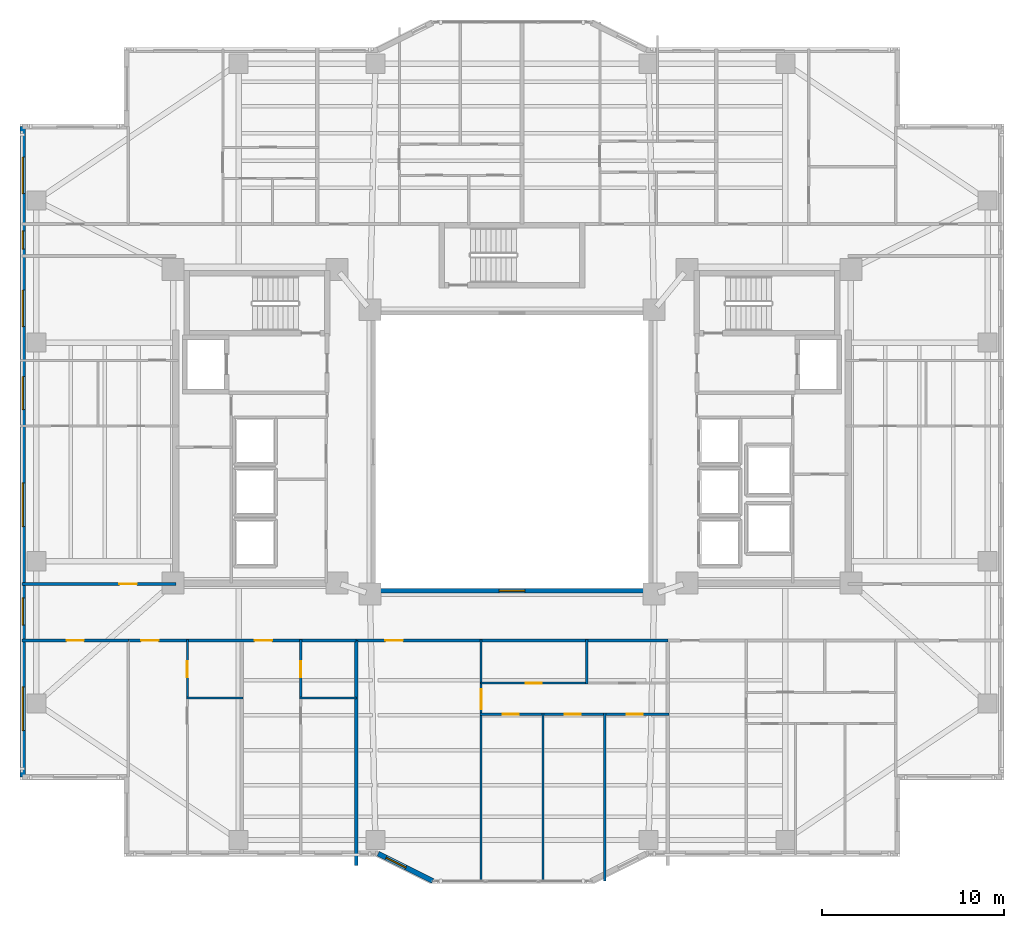
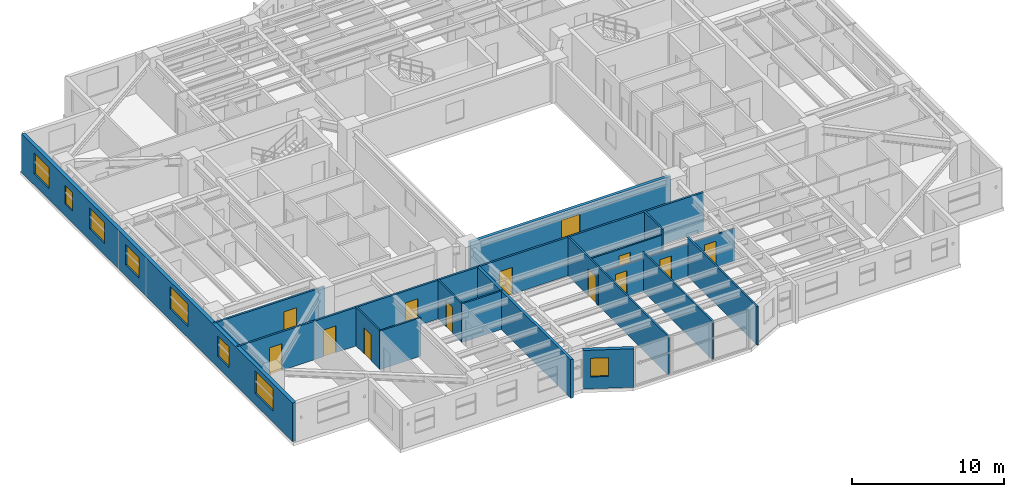
# One storey, part 6 of 19: 18 walls, 12 doors, 9 windows, 21 openings.
"""IFC4 building model written with IfcOpenShell, lengths in metres."""

from ifc_helpers import new_model, si_unit, direction, frame, frame_2d, origin, place, context, subcontext, project, spatial, rectangle, extrude, material, layer, layer_set, type_object, element, fill, save


model = new_model("IFC4")

# Units and contexts
model_context = context("Model", 3, precision=1e-05, world=origin(), true_north=direction((0.0, 1.0)))
body_context = subcontext(model_context, "Body", "Model", "MODEL_VIEW")
ifc_project = project(units=[si_unit("LENGTHUNIT", "METRE"), si_unit("AREAUNIT", "SQUARE_METRE"), si_unit("VOLUMEUNIT", "CUBIC_METRE"), si_unit("PLANEANGLEUNIT", "RADIAN"), si_unit("MASSUNIT", "GRAM", prefix="KILO")], contexts=[model_context])

# Site, building, storey
site_placement = place(None, origin())
site = spatial("IfcSite", under=ifc_project, at=site_placement, CompositionType="ELEMENT")
building_placement = place(site_placement, origin())
building = spatial("IfcBuilding", under=site, at=building_placement, Name="Tarnavaz Court Tower", CompositionType="ELEMENT")
storey_placement = place(building_placement, frame((0.0, 0.0, 111.800048828125)))
storey = spatial("IfcBuildingStorey", under=building, at=storey_placement, Name="L30", CompositionType="ELEMENT", Elevation=111.800048828125)

# Wall, openings, windows
ifc_material_1 = material(Name="Precast Concrete C40/50", Category="concrete")
ifc_layer_1 = layer(ifc_material_1, 0.280029296875)
ifc_layer_set_1 = layer_set([ifc_layer_1], Name="Precast Concrete C40/50")
wall_type_1 = type_object("IfcWallType", Name="WL-EXT-280", PredefinedType="SOLIDWALL", material=ifc_layer_set_1)
wall_1_placement = place(storey_placement, frame((-26.85009765625, -17.85009765625, 0.0), z_axis=(0.0, 0.0, 1.0), x_axis=(0.0, 1.0, 0.0)))
wall_1 = element("IfcWall", 1, at=wall_1_placement, inside=storey, type_object=wall_type_1, Name="L30 Exterior Terracotta Facade Wall 02", PredefinedType="SOLIDWALL", context=body_context, shape_type="SweptSolid", body=[
    extrude(rectangle(XDim=35.7001953125, YDim=0.280029296875, at=frame_2d((17.85009765625, 0.0))), origin(), (0.0, 0.0, 1.0), 3.099853515625),
])
opening_1_placement = place(wall_1_placement, frame((2.550048828125, 0.0, 0.89990234375)))
opening_1 = element("IfcOpeningElement", 2, at=opening_1_placement, cuts=wall_1, Name="Opening W06", PredefinedType="OPENING", context=body_context, shape_type="SweptSolid", body=[
    extrude(rectangle(XDim=2.39990234375, YDim=1.800048828125, at=frame_2d((1.199951171875, 0.89990234375))), frame((0.0, 0.14990234375, 0.0), z_axis=(0.0, -1.0, 0.0), x_axis=(1.0, 0.0, 0.0)), (0.0, 0.0, 1.0), 0.300048828125),
])
opening_2_placement = place(wall_1_placement, frame((8.342529296875, 0.0, 0.89990234375)))
opening_2 = element("IfcOpeningElement", 3, at=opening_2_placement, cuts=wall_1, Name="Opening W03", PredefinedType="OPENING", context=body_context, shape_type="SweptSolid", body=[
    extrude(rectangle(XDim=1.5, YDim=1.64990234375, at=frame_2d((0.75, 0.824951171875))), frame((0.0, 0.14990234375, 0.0), z_axis=(0.0, -1.0, 0.0), x_axis=(1.0, 0.0, 0.0)), (0.0, 0.0, 1.0), 0.300048828125),
])
opening_3_placement = place(wall_1_placement, frame((13.75, 0.0, 0.89990234375)))
opening_3 = element("IfcOpeningElement", 4, at=opening_3_placement, cuts=wall_1, Name="Opening W06", PredefinedType="OPENING", context=body_context, shape_type="SweptSolid", body=[
    extrude(rectangle(XDim=2.39990234375, YDim=1.800048828125, at=frame_2d((1.199951171875, 0.89990234375))), frame((0.0, 0.14990234375, 0.0), z_axis=(0.0, -1.0, 0.0), x_axis=(1.0, 0.0, 0.0)), (0.0, 0.0, 1.0), 0.300048828125),
])
opening_4_placement = place(wall_1_placement, frame((20.175048828125, 0.0, 0.89990234375)))
opening_4 = element("IfcOpeningElement", 5, at=opening_4_placement, cuts=wall_1, Name="Opening W01", PredefinedType="OPENING", context=body_context, shape_type="SweptSolid", body=[
    extrude(rectangle(XDim=1.800048828125, YDim=1.64990234375, at=frame_2d((0.89990234375, 0.824951171875))), frame((0.0, 0.14990234375, 0.0), z_axis=(0.0, -1.0, 0.0), x_axis=(1.0, 0.0, 0.0)), (0.0, 0.0, 1.0), 0.300048828125),
])
opening_5_placement = place(wall_1_placement, frame((24.72509765625, 0.0, 0.89990234375)))
opening_5 = element("IfcOpeningElement", 6, at=opening_5_placement, cuts=wall_1, Name="Opening W08", PredefinedType="OPENING", context=body_context, shape_type="SweptSolid", body=[
    extrude(rectangle(XDim=2.0, YDim=1.699951171875, at=frame_2d((1.0, 0.85009765625))), frame((0.0, 0.14990234375, 0.0), z_axis=(0.0, -1.0, 0.0), x_axis=(1.0, 0.0, 0.0)), (0.0, 0.0, 1.0), 0.300048828125),
])
opening_6_placement = place(wall_1_placement, frame((28.97509765625, 0.0, 0.949951171875)))
opening_6 = element("IfcOpeningElement", 7, at=opening_6_placement, cuts=wall_1, Name="Opening W14", PredefinedType="OPENING", context=body_context, shape_type="SweptSolid", body=[
    extrude(rectangle(XDim=1.0, YDim=1.5, at=frame_2d((0.5, 0.75))), frame((0.0, 0.14990234375, 0.0), z_axis=(0.0, -1.0, 0.0), x_axis=(1.0, 0.0, 0.0)), (0.0, 0.0, 1.0), 0.300048828125),
])
opening_7_placement = place(wall_1_placement, frame((32.02490234375, 0.0, 0.89990234375)))
opening_7 = element("IfcOpeningElement", 8, at=opening_7_placement, cuts=wall_1, Name="Opening W08", PredefinedType="OPENING", context=body_context, shape_type="SweptSolid", body=[
    extrude(rectangle(XDim=2.0, YDim=1.699951171875, at=frame_2d((1.0, 0.85009765625))), frame((0.0, 0.14990234375, 0.0), z_axis=(0.0, -1.0, 0.0), x_axis=(1.0, 0.0, 0.0)), (0.0, 0.0, 1.0), 0.300048828125),
])
ifc_material_2 = material(Name="Double-Glazed Solar Low-E Glass", Category="glass")
window_type_1 = type_object("IfcWindowType", Name="WN-APT-1000", PartitioningType="SINGLE_PANEL", PredefinedType="WINDOW", material=ifc_material_2)
window_1_placement = place(opening_6_placement, origin())
window_1 = element("IfcWindow", 9, at=window_1_placement, inside=storey, type_object=window_type_1, Name="L30 North-West Corner Corridor Window", OverallHeight=1.5, OverallWidth=1.0, PartitioningType="SINGLE_PANEL", PredefinedType="WINDOW", context=body_context, shape_type="SweptSolid", body=[
    extrude(rectangle(XDim=1.0, YDim=1.5, at=frame_2d((0.5, 0.75))), frame((0.0, 0.030029296875, 0.0), z_axis=(0.0, -1.0, 0.0), x_axis=(1.0, 0.0, 0.0)), (0.0, 0.0, 1.0), 0.06005859375),
])
fill(opening_6, window_1)
window_type_2 = type_object("IfcWindowType", Name="WN-APT-1500", PartitioningType="DOUBLE_PANEL_VERTICAL", PredefinedType="WINDOW", material=ifc_material_2)
window_2_placement = place(opening_2_placement, origin())
window_2 = element("IfcWindow", 10, at=window_2_placement, inside=storey, type_object=window_type_2, Name="L30 South-West Corner Corridor Window", OverallHeight=1.64990234375, OverallWidth=1.5, PartitioningType="SINGLE_PANEL", PredefinedType="WINDOW", context=body_context, shape_type="SweptSolid", body=[
    extrude(rectangle(XDim=1.5, YDim=1.64990234375, at=frame_2d((0.75, 0.824951171875))), frame((0.0, 0.030029296875, 0.0), z_axis=(0.0, -1.0, 0.0), x_axis=(1.0, 0.0, 0.0)), (0.0, 0.0, 1.0), 0.06005859375),
])
fill(opening_2, window_2)
window_type_3 = type_object("IfcWindowType", Name="WN-APT-1800", PartitioningType="DOUBLE_PANEL_VERTICAL", PredefinedType="WINDOW", material=ifc_material_2)
window_3_placement = place(opening_4_placement, origin())
window_3 = element("IfcWindow", 11, at=window_3_placement, inside=storey, type_object=window_type_3, Name="L30 Flat 09 Kitchen Window", OverallHeight=1.64990234375, OverallWidth=1.800048828125, PartitioningType="SINGLE_PANEL", PredefinedType="WINDOW", context=body_context, shape_type="SweptSolid", body=[
    extrude(rectangle(XDim=1.800048828125, YDim=1.64990234375, at=frame_2d((0.89990234375, 0.824951171875))), frame((0.0, 0.030029296875, 0.0), z_axis=(0.0, -1.0, 0.0), x_axis=(1.0, 0.0, 0.0)), (0.0, 0.0, 1.0), 0.06005859375),
])
fill(opening_4, window_3)
window_type_4 = type_object("IfcWindowType", Name="WN-APT-2000", PartitioningType="DOUBLE_PANEL_VERTICAL", PredefinedType="WINDOW", material=ifc_material_2)
window_4_placement = place(opening_5_placement, origin())
window_4 = element("IfcWindow", 12, at=window_4_placement, inside=storey, type_object=window_type_4, Name="L30 Flat 09 Study Room Window", OverallHeight=1.699951171875, OverallWidth=2.0, PartitioningType="SINGLE_PANEL", PredefinedType="WINDOW", context=body_context, shape_type="SweptSolid", body=[
    extrude(rectangle(XDim=2.0, YDim=1.699951171875, at=frame_2d((1.0, 0.85009765625))), frame((0.0, 0.030029296875, 0.0), z_axis=(0.0, -1.0, 0.0), x_axis=(1.0, 0.0, 0.0)), (0.0, 0.0, 1.0), 0.06005859375),
])
fill(opening_5, window_4)
window_5_placement = place(opening_7_placement, origin())
window_5 = element("IfcWindow", 13, at=window_5_placement, inside=storey, type_object=window_type_4, Name="L30 North-West Corner Sunroom Study Window", OverallHeight=1.699951171875, OverallWidth=2.0, PartitioningType="SINGLE_PANEL", PredefinedType="WINDOW", context=body_context, shape_type="SweptSolid", body=[
    extrude(rectangle(XDim=2.0, YDim=1.699951171875, at=frame_2d((1.0, 0.85009765625))), frame((0.0, 0.030029296875, 0.0), z_axis=(0.0, -1.0, 0.0), x_axis=(1.0, 0.0, 0.0)), (0.0, 0.0, 1.0), 0.06005859375),
])
fill(opening_7, window_5)
window_type_5 = type_object("IfcWindowType", Name="WN-APT-2400", PartitioningType="TRIPLE_PANEL_VERTICAL", PredefinedType="WINDOW", material=ifc_material_2)
window_6_placement = place(opening_1_placement, origin())
window_6 = element("IfcWindow", 14, at=window_6_placement, inside=storey, type_object=window_type_5, Name="L30 South-West Corner Reading Room Window", OverallHeight=1.800048828125, OverallWidth=2.39990234375, PartitioningType="SINGLE_PANEL", PredefinedType="WINDOW", context=body_context, shape_type="SweptSolid", body=[
    extrude(rectangle(XDim=2.39990234375, YDim=1.800048828125, at=frame_2d((1.199951171875, 0.89990234375))), frame((0.0, 0.030029296875, 0.0), z_axis=(0.0, -1.0, 0.0), x_axis=(1.0, 0.0, 0.0)), (0.0, 0.0, 1.0), 0.06005859375),
])
fill(opening_1, window_6)
window_7_placement = place(opening_3_placement, origin())
window_7 = element("IfcWindow", 15, at=window_7_placement, inside=storey, type_object=window_type_5, Name="L30 Flat 09 Studio Living and Sleeping Room Window", OverallHeight=1.800048828125, OverallWidth=2.39990234375, PartitioningType="SINGLE_PANEL", PredefinedType="WINDOW", context=body_context, shape_type="SweptSolid", body=[
    extrude(rectangle(XDim=2.39990234375, YDim=1.800048828125, at=frame_2d((1.199951171875, 0.89990234375))), frame((0.0, 0.030029296875, 0.0), z_axis=(0.0, -1.0, 0.0), x_axis=(1.0, 0.0, 0.0)), (0.0, 0.0, 1.0), 0.06005859375),
])
fill(opening_3, window_7)

# Wall, opening, window
wall_2_placement = place(storey_placement, frame((-4.35009765625, -23.550048828125, 0.0), z_axis=(0.0, 0.0, 1.0), x_axis=(-0.894427191, 0.4472135955, 0.0)))
wall_2 = element("IfcWall", 16, at=wall_2_placement, inside=storey, type_object=wall_type_1, Name="L30 Exterior Terracotta Facade Wall 18", PredefinedType="SOLIDWALL", context=body_context, shape_type="SweptSolid", body=[
    extrude(rectangle(XDim=3.35400390625, YDim=0.280029296875, at=frame_2d((1.677001953125, 0.0))), origin(), (0.0, 0.0, 1.0), 3.099853515625),
])
opening_8_placement = place(wall_2_placement, frame((1.65283203125, 0.0, 0.949951171875)))
opening_8 = element("IfcOpeningElement", 17, at=opening_8_placement, cuts=wall_2, Name="Opening W05", PredefinedType="OPENING", context=body_context, shape_type="SweptSolid", body=[
    extrude(rectangle(XDim=1.199951171875, YDim=1.5, at=frame_2d((0.60009765625, 0.75))), frame((0.0, 0.14990234375, 0.0), z_axis=(0.0, -1.0, 0.0), x_axis=(1.0, 0.0, 0.0)), (0.0, 0.0, 1.0), 0.300048828125),
])
window_type_6 = type_object("IfcWindowType", Name="WN-APT-1200", PartitioningType="SINGLE_PANEL", PredefinedType="WINDOW", material=ifc_material_2)
window_8_placement = place(opening_8_placement, origin())
window_8 = element("IfcWindow", 18, at=window_8_placement, inside=storey, type_object=window_type_6, Name="L30 Flat 08 Living and Dining Room Window", OverallHeight=1.5, OverallWidth=1.199951171875, PartitioningType="SINGLE_PANEL", PredefinedType="WINDOW", context=body_context, shape_type="SweptSolid", body=[
    extrude(rectangle(XDim=1.199951171875, YDim=1.5, at=frame_2d((0.60009765625, 0.75))), frame((0.0, 0.030029296875, 0.0), z_axis=(0.0, -1.0, 0.0), x_axis=(1.0, 0.0, 0.0)), (0.0, 0.0, 1.0), 0.06005859375),
])
fill(opening_8, window_8)

# Wall, openings, doors
ifc_material_3 = material(Name="Gypsum Fire-Board on Acoustic Metal Stud", Category="masonry")
ifc_layer_2 = layer(ifc_material_3, 0.14990234375)
ifc_layer_set_2 = layer_set([ifc_layer_2], Name="Gypsum Fire-Board on Acoustic Metal Stud")
wall_type_2 = type_object("IfcWallType", Name="WL-FIRE-150", PredefinedType="PARTITIONING", material=ifc_layer_set_2)
wall_3_placement = place(storey_placement, frame((-21.050048828125, -10.35009765625, 0.0), z_axis=(0.0, 0.0, 1.0), x_axis=(1.0, 0.0, 0.0)))
wall_3 = element("IfcWall", 19, at=wall_3_placement, inside=storey, type_object=wall_type_2, Name="L30 SW Horseshoe Wall 073", PredefinedType="PARTITIONING", context=body_context, shape_type="SweptSolid", body=[
    extrude(rectangle(XDim=12.5, YDim=0.14990234375, at=frame_2d((6.25, 0.0))), origin(), (0.0, 0.0, 1.0), 3.099853515625),
])
opening_9_placement = place(wall_3_placement, frame((0.699951171875, 0.0, 0.0)))
opening_9 = element("IfcOpeningElement", 20, at=opening_9_placement, cuts=wall_3, Name="Opening D06", PredefinedType="OPENING", context=body_context, shape_type="SweptSolid", body=[
    extrude(rectangle(XDim=0.9599609375, YDim=2.14990234375, at=frame_2d((0.47998046875, 1.074951171875))), frame((0.0, 0.0849609375, 0.0), z_axis=(0.0, -1.0, 0.0), x_axis=(1.0, 0.0, 0.0)), (0.0, 0.0, 1.0), 0.169921875),
])
opening_10_placement = place(wall_3_placement, frame((6.925048828125, 0.0, 0.0)))
opening_10 = element("IfcOpeningElement", 21, at=opening_10_placement, cuts=wall_3, Name="Opening D06", PredefinedType="OPENING", context=body_context, shape_type="SweptSolid", body=[
    extrude(rectangle(XDim=0.9599609375, YDim=2.14990234375, at=frame_2d((0.47998046875, 1.074951171875))), frame((0.0, 0.0849609375, 0.0), z_axis=(0.0, -1.0, 0.0), x_axis=(1.0, 0.0, 0.0)), (0.0, 0.0, 1.0), 0.169921875),
])
ifc_material_4 = material(Name="Fire-Rated Hardwood Timber Core", Category="wood")
door_type_1 = type_object("IfcDoorType", Name="DR-FD60-950", OperationType="NOTDEFINED", PredefinedType="DOOR", material=ifc_material_4)
door_1_placement = place(opening_9_placement, origin())
door_1 = element("IfcDoor", 22, at=door_1_placement, inside=storey, type_object=door_type_1, Name="L30 Flat 05 Entrance Door", OperationType="SINGLE_SWING_LEFT", OverallHeight=2.14990234375, OverallWidth=0.9599609375, PredefinedType="DOOR", context=body_context, shape_type="SweptSolid", body=[
    extrude(rectangle(XDim=0.9599609375, YDim=2.14990234375, at=frame_2d((0.47998046875, 1.074951171875))), frame((0.0, 0.02490234375, 0.0), z_axis=(0.0, -1.0, 0.0), x_axis=(1.0, 0.0, 0.0)), (0.0, 0.0, 1.0), 0.050048828125),
])
fill(opening_9, door_1)
door_2_placement = place(opening_10_placement, origin())
door_2 = element("IfcDoor", 23, at=door_2_placement, inside=storey, type_object=door_type_1, Name="L30 Flat 06 Entrance Door", OperationType="SINGLE_SWING_RIGHT", OverallHeight=2.14990234375, OverallWidth=0.9599609375, PredefinedType="DOOR", context=body_context, shape_type="SweptSolid", body=[
    extrude(rectangle(XDim=0.9599609375, YDim=2.14990234375, at=frame_2d((0.47998046875, 1.074951171875))), frame((0.0, 0.02490234375, 0.0), z_axis=(0.0, -1.0, 0.0), x_axis=(1.0, 0.0, 0.0)), (0.0, 0.0, 1.0), 0.050048828125),
])
fill(opening_10, door_2)

# Wall, opening, door
wall_4_placement = place(storey_placement, frame((-8.550048828125, -10.35009765625, 0.0), z_axis=(0.0, 0.0, 1.0), x_axis=(1.0, 0.0, 0.0)))
wall_4 = element("IfcWall", 24, at=wall_4_placement, inside=storey, type_object=wall_type_2, Name="L30 Interior Partition 114", PredefinedType="PARTITIONING", context=body_context, shape_type="SweptSolid", body=[
    extrude(rectangle(XDim=17.10009765625, YDim=0.14990234375, at=frame_2d((8.550048828125, 0.0))), origin(), (0.0, 0.0, 1.0), 3.099853515625),
])
opening_11_placement = place(wall_4_placement, frame((1.60009765625, 0.0, 0.0)))
opening_11 = element("IfcOpeningElement", 25, at=opening_11_placement, cuts=wall_4, Name="Opening D06", PredefinedType="OPENING", context=body_context, shape_type="SweptSolid", body=[
    extrude(rectangle(XDim=0.9599609375, YDim=2.14990234375, at=frame_2d((0.47998046875, 1.074951171875))), frame((0.0, 0.0849609375, 0.0), z_axis=(0.0, -1.0, 0.0), x_axis=(1.0, 0.0, 0.0)), (0.0, 0.0, 1.0), 0.169921875),
])
door_3_placement = place(opening_11_placement, origin())
door_3 = element("IfcDoor", 26, at=door_3_placement, inside=storey, type_object=door_type_1, Name="L30 Flat 08 Entrance Door", OperationType="SINGLE_SWING_RIGHT", OverallHeight=2.14990234375, OverallWidth=0.9599609375, PredefinedType="DOOR", context=body_context, shape_type="SweptSolid", body=[
    extrude(rectangle(XDim=0.9599609375, YDim=2.14990234375, at=frame_2d((0.47998046875, 1.074951171875))), frame((0.0, 0.02490234375, 0.0), z_axis=(0.0, -1.0, 0.0), x_axis=(1.0, 0.0, 0.0)), (0.0, 0.0, 1.0), 0.050048828125),
])
fill(opening_11, door_3)

wall_5_placement = place(storey_placement, frame((-26.8798828125, -7.25, 0.0), z_axis=(0.0, 0.0, 1.0), x_axis=(1.0, 0.0, 0.0)))
wall_5 = element("IfcWall", 27, at=wall_5_placement, inside=storey, type_object=wall_type_2, Name="L30 Interior Partition 122", PredefinedType="PARTITIONING", context=body_context, shape_type="SweptSolid", body=[
    extrude(rectangle(XDim=8.429931640625, YDim=0.14990234375, at=frame_2d((4.21484375, 0.0))), origin(), (0.0, 0.0, 1.0), 3.099853515625),
])
opening_12_placement = place(wall_5_placement, frame((5.330078125, 0.0, 0.0)))
opening_12 = element("IfcOpeningElement", 28, at=opening_12_placement, cuts=wall_5, Name="Opening D06", PredefinedType="OPENING", context=body_context, shape_type="SweptSolid", body=[
    extrude(rectangle(XDim=0.9599609375, YDim=2.14990234375, at=frame_2d((0.47998046875, 1.074951171875))), frame((0.0, 0.0849609375, 0.0), z_axis=(0.0, -1.0, 0.0), x_axis=(1.0, 0.0, 0.0)), (0.0, 0.0, 1.0), 0.169921875),
])
door_4_placement = place(opening_12_placement, origin())
door_4 = element("IfcDoor", 29, at=door_4_placement, inside=storey, type_object=door_type_1, Name="L30 Flat 09 Entrance Door", OperationType="SINGLE_SWING_LEFT", OverallHeight=2.14990234375, OverallWidth=0.9599609375, PredefinedType="DOOR", context=body_context, shape_type="SweptSolid", body=[
    extrude(rectangle(XDim=0.9599609375, YDim=2.14990234375, at=frame_2d((0.47998046875, 1.074951171875))), frame((0.0, 0.02490234375, 0.0), z_axis=(0.0, -1.0, 0.0), x_axis=(1.0, 0.0, 0.0)), (0.0, 0.0, 1.0), 0.050048828125),
])
fill(opening_12, door_4)

wall_6_placement = place(storey_placement, frame((-26.8798828125, -10.35009765625, 0.0), z_axis=(0.0, 0.0, 1.0), x_axis=(1.0, 0.0, 0.0)))
wall_6 = element("IfcWall", 30, at=wall_6_placement, inside=storey, type_object=wall_type_2, Name="L30 Interior Partition 132", PredefinedType="PARTITIONING", context=body_context, shape_type="SweptSolid", body=[
    extrude(rectangle(XDim=5.829833984375, YDim=0.14990234375, at=frame_2d((2.9150390625, 0.0))), origin(), (0.0, 0.0, 1.0), 3.099853515625),
])
opening_13_placement = place(wall_6_placement, frame((2.43994140625, 0.0, 0.0)))
opening_13 = element("IfcOpeningElement", 31, at=opening_13_placement, cuts=wall_6, Name="Opening D13", PredefinedType="OPENING", context=body_context, shape_type="SweptSolid", body=[
    extrude(rectangle(XDim=0.949951171875, YDim=2.14990234375, at=frame_2d((0.47509765625, 1.074951171875))), frame((0.0, 0.0849609375, 0.0), z_axis=(0.0, -1.0, 0.0), x_axis=(1.0, 0.0, 0.0)), (0.0, 0.0, 1.0), 0.169921875),
])
ifc_material_5 = material(Name="Engineered Oak Timber", Category="wood")
door_type_2 = type_object("IfcDoorType", Name="DR-INT-950", OperationType="NOTDEFINED", PredefinedType="DOOR", material=ifc_material_5)
door_5_placement = place(opening_13_placement, origin())
door_5 = element("IfcDoor", 32, at=door_5_placement, inside=storey, type_object=door_type_2, Name="L30 SW Reading Room Door", OperationType="SINGLE_SWING_LEFT", OverallHeight=2.14990234375, OverallWidth=0.949951171875, PredefinedType="DOOR", context=body_context, shape_type="SweptSolid", body=[
    extrude(rectangle(XDim=0.949951171875, YDim=2.14990234375, at=frame_2d((0.47509765625, 1.074951171875))), frame((0.0, 0.02490234375, 0.0), z_axis=(0.0, -1.0, 0.0), x_axis=(1.0, 0.0, 0.0)), (0.0, 0.0, 1.0), 0.050048828125),
])
fill(opening_13, door_5)

# Wall
ifc_material_6 = material(Name="Autoclaved Aerated Concrete Blockwork", Category="masonry")
ifc_layer_3 = layer(ifc_material_6, 0.199951171875)
ifc_layer_set_3 = layer_set([ifc_layer_3], Name="Autoclaved Aerated Concrete Blockwork")
wall_type_3 = type_object("IfcWallType", Name="WL-FIRE-200", PredefinedType="SOLIDWALL", material=ifc_layer_set_3)
wall_7_placement = place(storey_placement, frame((-8.550048828125, -22.7041015625, 0.0), z_axis=(0.0, 0.0, 1.0), x_axis=(0.0, 1.0, 0.0)))
element("IfcWall", 33, at=wall_7_placement, inside=storey, type_object=wall_type_3, Name="L30 Party Wall 112", PredefinedType="SOLIDWALL", context=body_context, shape_type="SweptSolid", body=[
    extrude(rectangle(XDim=12.35400390625, YDim=0.199951171875, at=frame_2d((6.177001953125, 0.0))), origin(), (0.0, 0.0, 1.0), 3.099853515625),
])

# Wall, opening, door
ifc_material_7 = material(Name="Moisture-Resistant Gypsum Board Partition", Category="masonry")
ifc_layer_4 = layer(ifc_material_7, 0.1201171875)
ifc_layer_set_4 = layer_set([ifc_layer_4], Name="Moisture-Resistant Gypsum Board Partition")
wall_type_4 = type_object("IfcWallType", Name="WL-PART-120", PredefinedType="PARTITIONING", material=ifc_layer_set_4)
wall_8_placement = place(storey_placement, frame((-17.81494140625, -13.510009765625, 0.0), z_axis=(0.0, 0.0, 1.0), x_axis=(0.0, 1.0, 0.0)))
wall_8 = element("IfcWall", 34, at=wall_8_placement, inside=storey, type_object=wall_type_4, Name="L30 Interior Partition 100", PredefinedType="PARTITIONING", context=body_context, shape_type="SweptSolid", body=[
    extrude(rectangle(XDim=3.219970703125, YDim=0.1201171875, at=frame_2d((1.60986328125, 0.0))), origin(), (0.0, 0.0, 1.0), 3.099853515625),
])
opening_14_placement = place(wall_8_placement, frame((1.139892578125, 0.0, 0.0)))
opening_14 = element("IfcOpeningElement", 35, at=opening_14_placement, cuts=wall_8, Name="Opening D14", PredefinedType="OPENING", context=body_context, shape_type="SweptSolid", body=[
    extrude(rectangle(XDim=0.8798828125, YDim=2.10009765625, at=frame_2d((0.43994140625, 1.050048828125))), frame((0.0, 0.070068359375, 0.0), z_axis=(0.0, -1.0, 0.0), x_axis=(1.0, 0.0, 0.0)), (0.0, 0.0, 1.0), 0.14013671875),
])
door_type_3 = type_object("IfcDoorType", Name="DR-INT-900", OperationType="NOTDEFINED", PredefinedType="DOOR", material=ifc_material_5)
door_6_placement = place(opening_14_placement, origin())
door_6 = element("IfcDoor", 36, at=door_6_placement, inside=storey, type_object=door_type_3, Name="L30 Flat 05 Bathroom Door", OperationType="SINGLE_SWING_LEFT", OverallHeight=2.10009765625, OverallWidth=0.8798828125, PredefinedType="DOOR", context=body_context, shape_type="SweptSolid", body=[
    extrude(rectangle(XDim=0.8798828125, YDim=2.10009765625, at=frame_2d((0.43994140625, 1.050048828125))), frame((0.0, 0.02490234375, 0.0), z_axis=(0.0, -1.0, 0.0), x_axis=(1.0, 0.0, 0.0)), (0.0, 0.0, 1.0), 0.050048828125),
])
fill(opening_14, door_6)

# Wall
wall_9_placement = place(storey_placement, frame((-17.875, -13.510009765625, 0.0), z_axis=(0.0, 0.0, 1.0), x_axis=(1.0, 0.0, 0.0)))
element("IfcWall", 37, at=wall_9_placement, inside=storey, type_object=wall_type_4, Name="L30 Interior Partition 101", PredefinedType="PARTITIONING", context=body_context, shape_type="SweptSolid", body=[
    extrude(rectangle(XDim=3.110107421875, YDim=0.1201171875, at=frame_2d((1.55517578125, 0.0))), origin(), (0.0, 0.0, 1.0), 3.099853515625),
])

# Wall, opening, door
wall_10_placement = place(storey_placement, frame((-11.590087890625, -13.510009765625, 0.0), z_axis=(0.0, 0.0, 1.0), x_axis=(0.0, 1.0, 0.0)))
wall_10 = element("IfcWall", 38, at=wall_10_placement, inside=storey, type_object=wall_type_4, Name="L30 Interior Partition 103", PredefinedType="PARTITIONING", context=body_context, shape_type="SweptSolid", body=[
    extrude(rectangle(XDim=3.219970703125, YDim=0.1201171875, at=frame_2d((1.60986328125, 0.0))), origin(), (0.0, 0.0, 1.0), 3.099853515625),
])
opening_15_placement = place(wall_10_placement, frame((1.139892578125, 0.0, 0.0)))
opening_15 = element("IfcOpeningElement", 39, at=opening_15_placement, cuts=wall_10, Name="Opening D14", PredefinedType="OPENING", context=body_context, shape_type="SweptSolid", body=[
    extrude(rectangle(XDim=0.8798828125, YDim=2.10009765625, at=frame_2d((0.43994140625, 1.050048828125))), frame((0.0, 0.070068359375, 0.0), z_axis=(0.0, -1.0, 0.0), x_axis=(1.0, 0.0, 0.0)), (0.0, 0.0, 1.0), 0.14013671875),
])
door_7_placement = place(opening_15_placement, origin())
door_7 = element("IfcDoor", 40, at=door_7_placement, inside=storey, type_object=door_type_3, Name="L30 Flat 06 Bathroom Door", OperationType="SINGLE_SWING_RIGHT", OverallHeight=2.10009765625, OverallWidth=0.8798828125, PredefinedType="DOOR", context=body_context, shape_type="SweptSolid", body=[
    extrude(rectangle(XDim=0.8798828125, YDim=2.10009765625, at=frame_2d((0.43994140625, 1.050048828125))), frame((0.0, 0.02490234375, 0.0), z_axis=(0.0, -1.0, 0.0), x_axis=(1.0, 0.0, 0.0)), (0.0, 0.0, 1.0), 0.050048828125),
])
fill(opening_15, door_7)

# Wall
wall_11_placement = place(storey_placement, frame((-11.64990234375, -13.510009765625, 0.0), z_axis=(0.0, 0.0, 1.0), x_axis=(1.0, 0.0, 0.0)))
element("IfcWall", 41, at=wall_11_placement, inside=storey, type_object=wall_type_4, Name="L30 Interior Partition 104", PredefinedType="PARTITIONING", context=body_context, shape_type="SweptSolid", body=[
    extrude(rectangle(XDim=3.10986328125, YDim=0.1201171875, at=frame_2d((1.554931640625, 0.0))), origin(), (0.0, 0.0, 1.0), 3.099853515625),
])

# Wall, opening, door
wall_12_placement = place(storey_placement, frame((-1.696044921875, -23.580078125, 0.0), z_axis=(0.0, 0.0, 1.0), x_axis=(0.0, 1.0, 0.0)))
wall_12 = element("IfcWall", 42, at=wall_12_placement, inside=storey, type_object=wall_type_4, Name="L30 Interior Partition 115", PredefinedType="PARTITIONING", context=body_context, shape_type="SweptSolid", body=[
    extrude(rectangle(XDim=13.2900390625, YDim=0.1201171875, at=frame_2d((6.64501953125, 0.0))), origin(), (0.0, 0.0, 1.0), 3.099853515625),
])
opening_16_placement = place(wall_12_placement, frame((9.465087890625, 0.0, 0.0)))
opening_16 = element("IfcOpeningElement", 43, at=opening_16_placement, cuts=wall_12, Name="Opening D12", PredefinedType="OPENING", context=body_context, shape_type="SweptSolid", body=[
    extrude(rectangle(XDim=1.080078125, YDim=2.14990234375, at=frame_2d((0.5400390625, 1.074951171875))), frame((0.0, 0.070068359375, 0.0), z_axis=(0.0, -1.0, 0.0), x_axis=(1.0, 0.0, 0.0)), (0.0, 0.0, 1.0), 0.14013671875),
])
door_type_4 = type_object("IfcDoorType", Name="DR-INT-1100", OperationType="NOTDEFINED", PredefinedType="DOOR", material=ifc_material_5)
door_8_placement = place(opening_16_placement, origin())
door_8 = element("IfcDoor", 44, at=door_8_placement, inside=storey, type_object=door_type_4, Name="L30 Flat 08 Foyer Door", OperationType="SINGLE_SWING_LEFT", OverallHeight=2.14990234375, OverallWidth=1.080078125, PredefinedType="DOOR", context=body_context, shape_type="SweptSolid", body=[
    extrude(rectangle(XDim=1.080078125, YDim=2.14990234375, at=frame_2d((0.5400390625, 1.074951171875))), frame((0.0, 0.02490234375, 0.0), z_axis=(0.0, -1.0, 0.0), x_axis=(1.0, 0.0, 0.0)), (0.0, 0.0, 1.0), 0.050048828125),
])
fill(opening_16, door_8)

wall_13_placement = place(storey_placement, frame((-1.696044921875, -12.68994140625, 0.0), z_axis=(0.0, 0.0, 1.0), x_axis=(1.0, 0.0, 0.0)))
wall_13 = element("IfcWall", 45, at=wall_13_placement, inside=storey, type_object=wall_type_4, Name="L30 Interior Partition 116", PredefinedType="PARTITIONING", context=body_context, shape_type="SweptSolid", body=[
    extrude(rectangle(XDim=5.800048828125, YDim=0.1201171875, at=frame_2d((2.89990234375, 0.0))), origin(), (0.0, 0.0, 1.0), 2.635009765625),
])
opening_17_placement = place(wall_13_placement, frame((2.4599609375, 0.0, 0.0)))
opening_17 = element("IfcOpeningElement", 46, at=opening_17_placement, cuts=wall_13, Name="Opening D14", PredefinedType="OPENING", context=body_context, shape_type="SweptSolid", body=[
    extrude(rectangle(XDim=0.8798828125, YDim=2.10009765625, at=frame_2d((0.43994140625, 1.050048828125))), frame((0.0, 0.070068359375, 0.0), z_axis=(0.0, -1.0, 0.0), x_axis=(1.0, 0.0, 0.0)), (0.0, 0.0, 1.0), 0.14013671875),
])
door_9_placement = place(opening_17_placement, origin())
door_9 = element("IfcDoor", 47, at=door_9_placement, inside=storey, type_object=door_type_3, Name="L30 Flat 08 Kitchen Door", OperationType="SINGLE_SWING_RIGHT", OverallHeight=2.10009765625, OverallWidth=0.8798828125, PredefinedType="DOOR", context=body_context, shape_type="SweptSolid", body=[
    extrude(rectangle(XDim=0.8798828125, YDim=2.10009765625, at=frame_2d((0.43994140625, 1.050048828125))), frame((0.0, 0.02490234375, 0.0), z_axis=(0.0, -1.0, 0.0), x_axis=(1.0, 0.0, 0.0)), (0.0, 0.0, 1.0), 0.050048828125),
])
fill(opening_17, door_9)

# Wall, openings, doors
wall_14_placement = place(storey_placement, frame((-1.756103515625, -14.39990234375, 0.0), z_axis=(0.0, 0.0, 1.0), x_axis=(1.0, 0.0, 0.0)))
wall_14 = element("IfcWall", 48, at=wall_14_placement, inside=storey, type_object=wall_type_4, Name="L30 Interior Partition 118", PredefinedType="PARTITIONING", context=body_context, shape_type="SweptSolid", body=[
    extrude(rectangle(XDim=10.3662109375, YDim=0.1201171875, at=frame_2d((5.18310546875, 0.0))), origin(), (0.0, 0.0, 1.0), 2.635009765625),
])
opening_18_placement = place(wall_14_placement, frame((1.256103515625, 0.0, 0.0)))
opening_18 = element("IfcOpeningElement", 49, at=opening_18_placement, cuts=wall_14, Name="Opening D14", PredefinedType="OPENING", context=body_context, shape_type="SweptSolid", body=[
    extrude(rectangle(XDim=0.8798828125, YDim=2.10009765625, at=frame_2d((0.43994140625, 1.050048828125))), frame((0.0, 0.070068359375, 0.0), z_axis=(0.0, -1.0, 0.0), x_axis=(1.0, 0.0, 0.0)), (0.0, 0.0, 1.0), 0.14013671875),
])
opening_19_placement = place(wall_14_placement, frame((4.64794921875, 0.0, 0.0)))
opening_19 = element("IfcOpeningElement", 50, at=opening_19_placement, cuts=wall_14, Name="Opening D14", PredefinedType="OPENING", context=body_context, shape_type="SweptSolid", body=[
    extrude(rectangle(XDim=0.8798828125, YDim=2.10009765625, at=frame_2d((0.43994140625, 1.050048828125))), frame((0.0, 0.070068359375, 0.0), z_axis=(0.0, -1.0, 0.0), x_axis=(1.0, 0.0, 0.0)), (0.0, 0.0, 1.0), 0.14013671875),
])
opening_20_placement = place(wall_14_placement, frame((8.0400390625, 0.0, 0.0)))
opening_20 = element("IfcOpeningElement", 51, at=opening_20_placement, cuts=wall_14, Name="Opening D14", PredefinedType="OPENING", context=body_context, shape_type="SweptSolid", body=[
    extrude(rectangle(XDim=0.8798828125, YDim=2.10009765625, at=frame_2d((0.43994140625, 1.050048828125))), frame((0.0, 0.070068359375, 0.0), z_axis=(0.0, -1.0, 0.0), x_axis=(1.0, 0.0, 0.0)), (0.0, 0.0, 1.0), 0.14013671875),
])
door_10_placement = place(opening_18_placement, origin())
door_10 = element("IfcDoor", 52, at=door_10_placement, inside=storey, type_object=door_type_3, Name="L30 Flat 08 Bedroom 1 Door", OperationType="SINGLE_SWING_RIGHT", OverallHeight=2.10009765625, OverallWidth=0.8798828125, PredefinedType="DOOR", context=body_context, shape_type="SweptSolid", body=[
    extrude(rectangle(XDim=0.8798828125, YDim=2.10009765625, at=frame_2d((0.43994140625, 1.050048828125))), frame((0.0, 0.02490234375, 0.0), z_axis=(0.0, -1.0, 0.0), x_axis=(1.0, 0.0, 0.0)), (0.0, 0.0, 1.0), 0.050048828125),
])
fill(opening_18, door_10)
door_11_placement = place(opening_19_placement, origin())
door_11 = element("IfcDoor", 53, at=door_11_placement, inside=storey, type_object=door_type_3, Name="L30 Flat 08 Bedroom 2 Door", OperationType="SINGLE_SWING_LEFT", OverallHeight=2.10009765625, OverallWidth=0.8798828125, PredefinedType="DOOR", context=body_context, shape_type="SweptSolid", body=[
    extrude(rectangle(XDim=0.8798828125, YDim=2.10009765625, at=frame_2d((0.43994140625, 1.050048828125))), frame((0.0, 0.02490234375, 0.0), z_axis=(0.0, -1.0, 0.0), x_axis=(1.0, 0.0, 0.0)), (0.0, 0.0, 1.0), 0.050048828125),
])
fill(opening_19, door_11)
door_12_placement = place(opening_20_placement, origin())
door_12 = element("IfcDoor", 54, at=door_12_placement, inside=storey, type_object=door_type_3, Name="L30 Flat 08 Bedroom 3 Door", OperationType="SINGLE_SWING_RIGHT", OverallHeight=2.10009765625, OverallWidth=0.8798828125, PredefinedType="DOOR", context=body_context, shape_type="SweptSolid", body=[
    extrude(rectangle(XDim=0.8798828125, YDim=2.10009765625, at=frame_2d((0.43994140625, 1.050048828125))), frame((0.0, 0.02490234375, 0.0), z_axis=(0.0, -1.0, 0.0), x_axis=(1.0, 0.0, 0.0)), (0.0, 0.0, 1.0), 0.050048828125),
])
fill(opening_20, door_12)

# Walls
wall_15_placement = place(storey_placement, frame((4.10400390625, -12.75, 0.0), z_axis=(0.0, 0.0, 1.0), x_axis=(0.0, 1.0, 0.0)))
element("IfcWall", 55, at=wall_15_placement, inside=storey, type_object=wall_type_4, Name="L30 Interior Partition 119", PredefinedType="PARTITIONING", context=body_context, shape_type="SweptSolid", body=[
    extrude(rectangle(XDim=2.4599609375, YDim=0.1201171875, at=frame_2d((1.22998046875, 0.0))), origin(), (0.0, 0.0, 1.0), 3.099853515625),
])
wall_16_placement = place(storey_placement, frame((1.696044921875, -23.580078125, 0.0), z_axis=(0.0, 0.0, 1.0), x_axis=(0.0, 1.0, 0.0)))
element("IfcWall", 56, at=wall_16_placement, inside=storey, type_object=wall_type_4, Name="L30 Interior Partition 120", PredefinedType="PARTITIONING", context=body_context, shape_type="SweptSolid", body=[
    extrude(rectangle(XDim=9.239990234375, YDim=0.1201171875, at=frame_2d((4.6201171875, 0.0))), origin(), (0.0, 0.0, 1.0), 3.099853515625),
])
wall_17_placement = place(storey_placement, frame((5.087890625, -23.55810546875, 0.0), z_axis=(0.0, 0.0, 1.0), x_axis=(0.0, 1.0, 0.0)))
element("IfcWall", 57, at=wall_17_placement, inside=storey, type_object=wall_type_4, Name="L30 Interior Partition 121", PredefinedType="PARTITIONING", context=body_context, shape_type="SweptSolid", body=[
    extrude(rectangle(XDim=9.218017578125, YDim=0.1201171875, at=frame_2d((4.60888671875, 0.0))), origin(), (0.0, 0.0, 1.0), 3.099853515625),
])

# Wall, opening, window
ifc_layer_5 = layer(ifc_material_1, 0.239990234375)
ifc_layer_set_5 = layer_set([ifc_layer_5], Name="Precast Concrete C40/50")
wall_type_5 = type_object("IfcWallType", Name="WL-WELL-240", PredefinedType="SOLIDWALL", material=ifc_layer_set_5)
wall_18_placement = place(storey_placement, frame((-7.6201171875, -7.6201171875, 0.0), z_axis=(0.0, 0.0, 1.0), x_axis=(1.0, 0.0, 0.0)))
wall_18 = element("IfcWall", 58, at=wall_18_placement, inside=storey, type_object=wall_type_5, Name="L30 Badgir Light-Well Exterior Wall S", PredefinedType="SOLIDWALL", context=body_context, shape_type="SweptSolid", body=[
    extrude(rectangle(XDim=15.240234375, YDim=0.239990234375, at=frame_2d((7.6201171875, 0.0))), origin(), (0.0, 0.0, 1.0), 3.099853515625),
])
opening_21_placement = place(wall_18_placement, frame((6.919921875, 0.0, 0.949951171875)))
opening_21 = element("IfcOpeningElement", 59, at=opening_21_placement, cuts=wall_18, Name="Opening W13", PredefinedType="OPENING", context=body_context, shape_type="SweptSolid", body=[
    extrude(rectangle(XDim=1.39990234375, YDim=1.5, at=frame_2d((0.699951171875, 0.75))), frame((0.0, 0.1298828125, 0.0), z_axis=(0.0, -1.0, 0.0), x_axis=(1.0, 0.0, 0.0)), (0.0, 0.0, 1.0), 0.260009765625),
])
window_type_7 = type_object("IfcWindowType", Name="WN-WEL-1400", PartitioningType="SINGLE_PANEL", PredefinedType="WINDOW", material=ifc_material_2)
window_9_placement = place(opening_21_placement, origin())
window_9 = element("IfcWindow", 60, at=window_9_placement, inside=storey, type_object=window_type_7, Name="L30 Courtyard Gallery Window S", OverallHeight=1.5, OverallWidth=1.39990234375, PartitioningType="SINGLE_PANEL", PredefinedType="WINDOW", context=body_context, shape_type="SweptSolid", body=[
    extrude(rectangle(XDim=1.39990234375, YDim=1.5, at=frame_2d((0.699951171875, 0.75))), frame((0.0, 0.030029296875, 0.0), z_axis=(0.0, -1.0, 0.0), x_axis=(1.0, 0.0, 0.0)), (0.0, 0.0, 1.0), 0.06005859375),
])
fill(opening_21, window_9)

save(model, "model.ifc")
